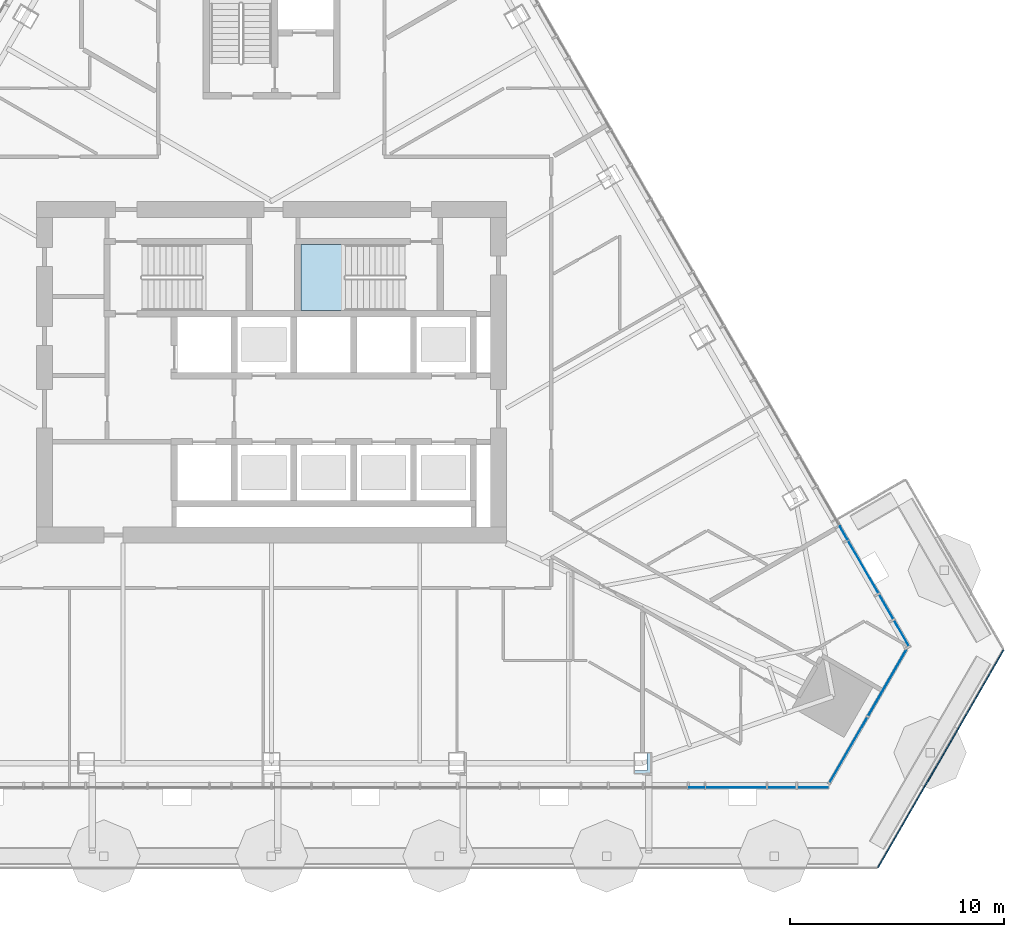
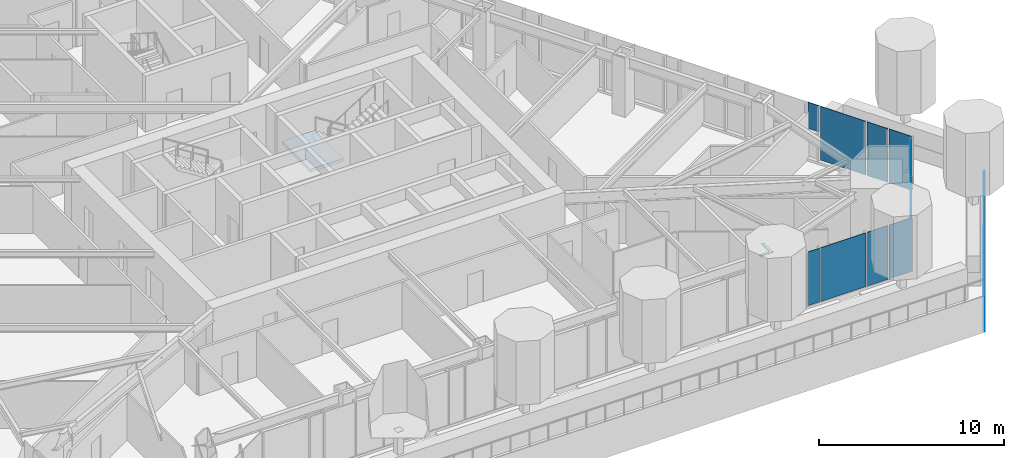
# One storey, part 11 of 24: 12 plates, 1 slab, 4 elements without a shape of their own.
"""IFC4 building model written with IfcOpenShell, lengths in metres."""

from ifc_helpers import new_model, si_unit, direction, frame, origin, place, context, subcontext, project, spatial, polyline, outline, extrude, material, layer, layer_set, type_object, element, aggregate, save


model = new_model("IFC4")

# Units and contexts
model_context = context("Model", 3, precision=1e-05, world=origin(), true_north=direction((0.0, 1.0)))
body_context = subcontext(model_context, "Body", "Model", "MODEL_VIEW")
ifc_project = project(units=[si_unit("LENGTHUNIT", "METRE"), si_unit("AREAUNIT", "SQUARE_METRE"), si_unit("VOLUMEUNIT", "CUBIC_METRE"), si_unit("PLANEANGLEUNIT", "RADIAN"), si_unit("MASSUNIT", "GRAM", prefix="KILO")], contexts=[model_context])

# Site, building, storey
site_placement = place(None, origin())
site = spatial("IfcSite", under=ifc_project, at=site_placement, CompositionType="ELEMENT")
building_placement = place(site_placement, origin())
building = spatial("IfcBuilding", under=site, at=building_placement, Name="Firuza Gate Tower and Library", CompositionType="ELEMENT")
storey_placement = place(building_placement, frame((0.0, 0.0, 194.800048828125)))
storey = spatial("IfcBuildingStorey", under=building, at=storey_placement, Name="L45", CompositionType="ELEMENT", Elevation=194.800048828125)

# Plate
ifc_material_1 = material(Name="Steel S355", Category="steel")
ifc_layer_1 = layer(ifc_material_1, 0.030029296875)
ifc_layer_set_1 = layer_set([ifc_layer_1], Name="Column infill plate 30 Steel S355")
plate_type_1 = type_object("IfcPlateType", Name="Column infill plate 30 Steel S355", PredefinedType="SHEET", material=ifc_layer_set_1)
plate_1_placement = place(storey_placement, frame((0.0, 0.0, 3.89990234375)))
element("IfcPlate", 1, at=plate_1_placement, inside=storey, type_object=plate_type_1, Name="Infill plate L45:S5", PredefinedType="SHEET", context=body_context, shape_type="SweptSolid", body=[
    extrude(outline(polyline([(92.771484375, 57.198974609375), (92.58740234375, 57.198974609375), (92.58740234375, 56.3583984375), (91.9716796875, 56.3583984375), (91.9716796875, 56.198974609375), (92.771484375, 56.198974609375), (92.771484375, 57.198974609375)])), origin(), (0.0, 0.0, 1.0), 0.030029296875),
])

# Curtain wall, plates
ifc_material_2 = material(Name="Aluminium 6063-T6", Category="aluminium")
ifc_layer_2 = layer(ifc_material_2, 0.14990234375)
ifc_layer_set_2 = layer_set([ifc_layer_2], Name="Corner curtain wall, chamfers")
curtain_wall_type_1 = type_object("IfcCurtainWallType", Name="Corner curtain wall, chamfers", PredefinedType="NOTDEFINED", material=ifc_layer_set_2)
placement = place(storey_placement, origin())
curtain_wall_1 = element("IfcCurtainWall", 2, at=placement, inside=storey, type_object=curtain_wall_type_1, Name="CW4 L45 SE corner", PredefinedType="NOTDEFINED")
ifc_material_3 = material(Name="Fritted glass", Category="glass")
ifc_layer_3 = layer(ifc_material_3, 0.030029296875)
ifc_layer_set_3 = layer_set([ifc_layer_3], Name="Fritted glass unit, corners")
plate_type_2 = type_object("IfcPlateType", Name="Fritted glass unit, corners", PredefinedType="CURTAIN_PANEL", material=ifc_layer_set_3)
plate_2_placement = place(storey_placement, frame((101.133544921875, 55.7509765625, 0.14990234375), z_axis=(0.866016723041, -0.500015035186, 0.0), x_axis=(0.500015035186, 0.866016723041, 0.0)))
plate_2 = element("IfcPlate", 3, at=plate_2_placement, type_object=plate_type_2, Name="Glass unit", PredefinedType="CURTAIN_PANEL", context=body_context, shape_type="SweptSolid", body=[
    extrude(outline(polyline([(0.0, 0.0), (3.5633694106530625, 0.0), (3.5633694106530625, 3.550048828125), (0.0, 3.550048828125), (0.0, 0.0)])), origin(), (0.0, 0.0, -1.0), 0.030029296875),
])
plate_3_placement = place(storey_placement, frame((102.955322265625, 58.90625, 0.14990234375), z_axis=(0.866016723041, -0.500015035186, 0.0), x_axis=(0.500015035186, 0.866016723041, 0.0)))
plate_3 = element("IfcPlate", 4, at=plate_3_placement, type_object=plate_type_2, Name="Glass unit", PredefinedType="CURTAIN_PANEL", context=body_context, shape_type="SweptSolid", body=[
    extrude(outline(polyline([(0.0, 0.0), (3.5633694106530625, 0.0), (3.5633694106530625, 3.550048828125), (0.0, 3.550048828125), (0.0, 0.0)])), origin(), (0.0, 0.0, -1.0), 0.030029296875),
])
aggregate(curtain_wall_1, [plate_2, plate_3])

# Curtain wall, plate
ifc_material_4 = material(Name="Aluminium 6063-T6", Category="aluminium")
ifc_layer_4 = layer(ifc_material_4, 0.14990234375)
ifc_layer_set_4 = layer_set([ifc_layer_4], Name="Unitised curtain wall, hotel")
curtain_wall_type_2 = type_object("IfcCurtainWallType", Name="Unitised curtain wall, hotel", PredefinedType="NOTDEFINED", material=ifc_layer_set_4)
curtain_wall_2 = element("IfcCurtainWall", 5, at=placement, inside=storey, type_object=curtain_wall_type_2, Name="CW2 L45 S face", PredefinedType="NOTDEFINED")
ifc_material_5 = material(Name="Fritted glass", Category="glass")
ifc_layer_5 = layer(ifc_material_5, 0.030029296875)
ifc_layer_set_5 = layer_set([ifc_layer_5], Name="Fritted glass unit, hotel")
plate_type_3 = type_object("IfcPlateType", Name="Fritted glass unit, hotel", PredefinedType="CURTAIN_PANEL", material=ifc_layer_set_5)
plate_4_placement = place(storey_placement, frame((99.6396484375, 55.538818359375, 0.14990234375), z_axis=(0.0, -1.0, 0.0), x_axis=(1.0, 0.0, 0.0)))
plate_4 = element("IfcPlate", 6, at=plate_4_placement, type_object=plate_type_3, Name="Glass unit", PredefinedType="CURTAIN_PANEL", context=body_context, shape_type="SweptSolid", body=[
    extrude(outline(polyline([(0.0, 0.0), (1.4208984375, 0.0), (1.4208984375, 3.550048828125), (0.0, 3.550048828125), (0.0, 0.0)])), origin(), (0.0, 0.0, -1.0), 0.030029296875),
])

curtain_wall_3 = element("IfcCurtainWall", 7, at=placement, inside=storey, type_object=curtain_wall_type_2, Name="CW2 L45 E face", PredefinedType="NOTDEFINED")
plate_5_placement = place(storey_placement, frame((104.88427734375, 62.161376953125, 0.14990234375), z_axis=(0.865982457891, 0.500074377092, 0.0), x_axis=(-0.500074377092, 0.865982457891, 0.0)))
plate_5 = element("IfcPlate", 8, at=plate_5_placement, type_object=plate_type_3, Name="Glass unit", PredefinedType="CURTAIN_PANEL", context=body_context, shape_type="SweptSolid", body=[
    extrude(outline(polyline([(0.0, 0.0), (1.4211753129752382, 0.0), (1.4211753129752382, 3.550048828125), (0.0, 3.550048828125), (0.0, 0.0)])), origin(), (0.0, 0.0, -1.0), 0.030029296875),
])

# Plate
ifc_material_6 = material(Name="Glazed ceramic tile")
ifc_layer_6 = layer(ifc_material_6, 0.030029296875)
ifc_layer_set_6 = layer_set([ifc_layer_6], Name="Opaque ceramic panel, hotel")
plate_type_4 = type_object("IfcPlateType", Name="Opaque ceramic panel, hotel", PredefinedType="CURTAIN_PANEL", material=ifc_layer_set_6)
plate_6_placement = place(storey_placement, frame((94.5595703125, 55.538818359375, 0.14990234375), z_axis=(0.0, -1.0, 0.0), x_axis=(1.0, 0.0, 0.0)))
plate_6 = element("IfcPlate", 9, at=plate_6_placement, type_object=plate_type_4, Name="Opaque ceramic panel", PredefinedType="CURTAIN_PANEL", context=body_context, shape_type="SweptSolid", body=[
    extrude(outline(polyline([(0.0, 0.0), (0.700927734375, 0.0), (0.700927734375, 3.550048828125), (0.0, 3.550048828125), (0.0, 0.0)])), origin(), (0.0, 0.0, -1.0), 0.030029296875),
])

plate_7_placement = place(storey_placement, frame((95.340576171875, 55.538818359375, 0.14990234375), z_axis=(0.0, -1.0, 0.0), x_axis=(1.0, 0.0, 0.0)))
plate_7 = element("IfcPlate", 10, at=plate_7_placement, type_object=plate_type_4, Name="Opaque ceramic panel", PredefinedType="CURTAIN_PANEL", context=body_context, shape_type="SweptSolid", body=[
    extrude(outline(polyline([(0.0, 0.0), (2.820068359375, 0.0), (2.820068359375, 3.550048828125), (0.0, 3.550048828125), (0.0, 0.0)])), origin(), (0.0, 0.0, -1.0), 0.030029296875),
])

plate_8_placement = place(storey_placement, frame((98.240478515625, 55.538818359375, 0.14990234375), z_axis=(0.0, -1.0, 0.0), x_axis=(1.0, 0.0, 0.0)))
plate_8 = element("IfcPlate", 11, at=plate_8_placement, type_object=plate_type_4, Name="Opaque ceramic panel", PredefinedType="CURTAIN_PANEL", context=body_context, shape_type="SweptSolid", body=[
    extrude(outline(polyline([(0.0, 0.0), (1.319091796875, 0.0), (1.319091796875, 3.550048828125), (0.0, 3.550048828125), (0.0, 0.0)])), origin(), (0.0, 0.0, -1.0), 0.030029296875),
])

aggregate(curtain_wall_2, [plate_6, plate_7, plate_8, plate_4])

plate_9_placement = place(storey_placement, frame((104.133544921875, 63.46142578125, 0.14990234375), z_axis=(0.866012943183, 0.500021581774, 0.0), x_axis=(-0.500021581774, 0.866012943183, 0.0)))
plate_9 = element("IfcPlate", 12, at=plate_9_placement, type_object=plate_type_4, Name="Opaque ceramic panel", PredefinedType="CURTAIN_PANEL", context=body_context, shape_type="SweptSolid", body=[
    extrude(outline(polyline([(0.0, 0.0), (1.318790732563711, 0.0), (1.318790732563711, 3.550048828125), (0.0, 3.550048828125), (0.0, 0.0)])), origin(), (0.0, 0.0, -1.0), 0.030029296875),
])

plate_10_placement = place(storey_placement, frame((103.43408203125, 64.6728515625, 0.14990234375), z_axis=(0.866055844559, 0.499947271324, 0.0), x_axis=(-0.499947271324, 0.866055844559, 0.0)))
plate_10 = element("IfcPlate", 13, at=plate_10_placement, type_object=plate_type_4, Name="Opaque ceramic panel", PredefinedType="CURTAIN_PANEL", context=body_context, shape_type="SweptSolid", body=[
    extrude(outline(polyline([(0.0, 0.0), (2.820121621306016, 0.0), (2.820121621306016, 3.550048828125), (0.0, 3.550048828125), (0.0, 0.0)])), origin(), (0.0, 0.0, -1.0), 0.030029296875),
])

plate_11_placement = place(storey_placement, frame((101.984130859375, 67.1845703125, 1.96484375), z_axis=(0.865982457891, 0.500074377092, 0.0), x_axis=(-0.500074377092, 0.865982457891, 0.0)))
plate_11 = element("IfcPlate", 14, at=plate_11_placement, type_object=plate_type_4, Name="Opaque ceramic panel", PredefinedType="CURTAIN_PANEL", context=body_context, shape_type="SweptSolid", body=[
    extrude(outline(polyline([(0.0, 0.0), (0.700579379635681, 0.0), (0.700579379635681, 1.735107421875), (0.0, 1.735107421875), (0.0, 0.0)])), origin(), (0.0, 0.0, -1.0), 0.030029296875),
])

aggregate(curtain_wall_3, [plate_5, plate_9, plate_10, plate_11])

# Stair, slab
ifc_material_7 = material(Name="Concrete C35/45", Category="concrete")
stair_type = type_object("IfcStairType", Name="Exit stair ST7", PredefinedType="HALF_TURN_STAIR", material=ifc_material_7)
stair = element("IfcStair", 15, at=placement, inside=storey, type_object=stair_type, Name="L45 Stair ST2", PredefinedType="HALF_TURN_STAIR")
ifc_material_8 = material(Name="Concrete C35/45", Category="concrete")
ifc_layer_7 = layer(ifc_material_8, 0.199951171875)
ifc_layer_set_7 = layer_set([ifc_layer_7], Name="Stair landing 200")
slab_type = type_object("IfcSlabType", Name="Stair landing 200", PredefinedType="LANDING", material=ifc_layer_set_7)
slab_placement = place(storey_placement, frame((0.0, 0.0, 1.75)))
slab = element("IfcSlab", 16, at=slab_placement, type_object=slab_type, Name="ST2 landing 1", PredefinedType="LANDING", context=body_context, shape_type="SweptSolid", body=[
    extrude(outline(polyline([(78.4599609375, 80.97998046875), (76.389892578125, 80.97998046875), (76.389892578125, 77.89990234375), (78.4599609375, 77.89990234375), (78.4599609375, 80.97998046875)])), origin(), (0.0, 0.0, 1.0), 0.199951171875),
])
aggregate(stair, [slab])

# Plate
ifc_material_9 = material(Name="Aluminium 6063-T6", Category="aluminium")
ifc_layer_8 = layer(ifc_material_9, 0.050048828125)
ifc_layer_set_8 = layer_set([ifc_layer_8], Name="Tray fascia panel 50")
plate_type_5 = type_object("IfcPlateType", Name="Tray fascia panel 50", PredefinedType="SHEET", material=ifc_layer_set_8)
plate_12_placement = place(storey_placement, frame((103.425048828125, 51.800048828125, -2.400146484375), z_axis=(0.866031718744, -0.49998906201, 0.0), x_axis=(0.49998906201, 0.866031718744, 0.0)))
element("IfcPlate", 17, at=plate_12_placement, inside=storey, type_object=plate_type_5, Name="Tray fascia L45 4", PredefinedType="SHEET", context=body_context, shape_type="SweptSolid", body=[
    extrude(outline(polyline([(0.0, 0.0), (11.758069719308214, 0.0), (11.758069719308214, 2.4001464843750004), (0.0, 2.4001464843750004), (0.0, 0.0)])), origin(), (0.0, 0.0, -1.0), 0.050048828125),
])

save(model, "model.ifc")
